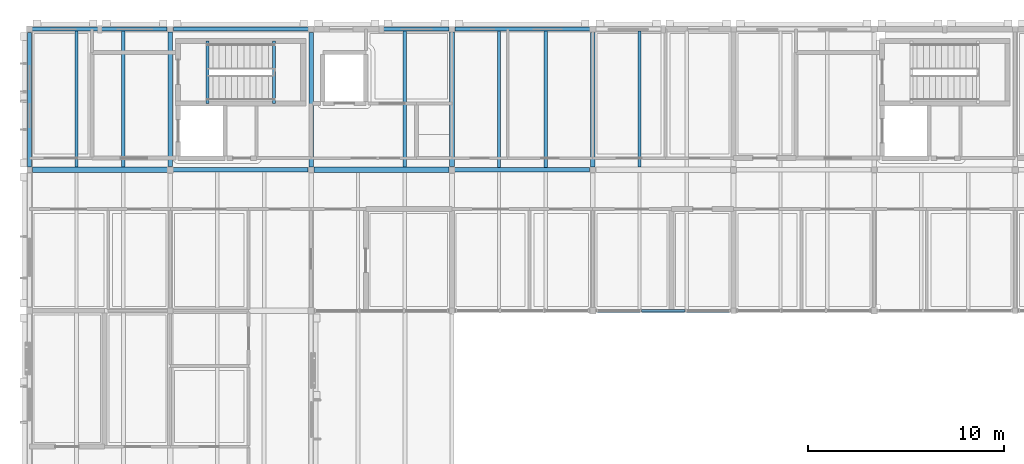
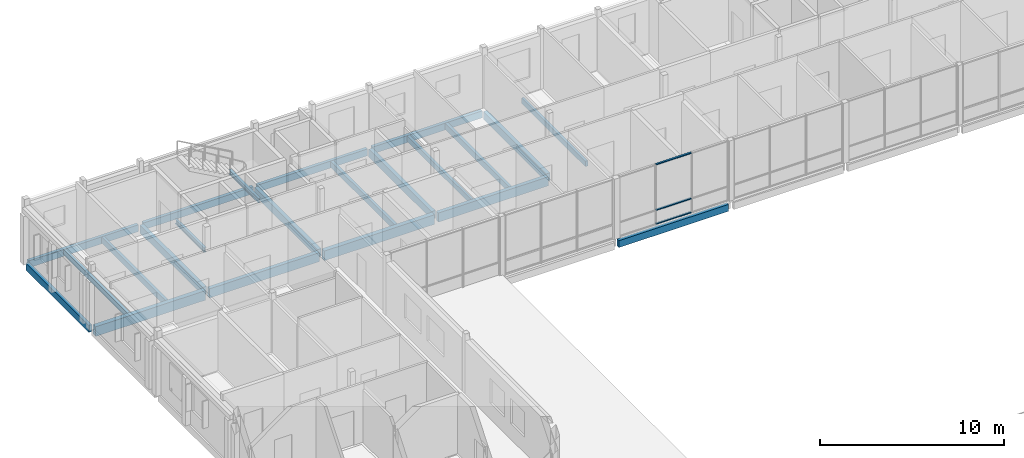
# One storey, part 15 of 57: 22 beams, 3 members, 1 element without a shape of its own.
"""IFC4 building model written with IfcOpenShell, lengths in metres."""

from ifc_helpers import new_model, si_unit, direction, frame, origin, origin_2d, place, context, subcontext, project, spatial, rectangle, hollow_rectangle, i_section, extrude, material, material_profile, profile_set, type_object, element, aggregate, save


model = new_model("IFC4")

# Units and contexts
model_context = context("Model", 3, precision=1e-05, world=origin(), true_north=direction((0.0, 1.0)))
body_context = subcontext(model_context, "Body", "Model", "MODEL_VIEW")
ifc_project = project(units=[si_unit("LENGTHUNIT", "METRE"), si_unit("AREAUNIT", "SQUARE_METRE"), si_unit("VOLUMEUNIT", "CUBIC_METRE"), si_unit("PLANEANGLEUNIT", "RADIAN"), si_unit("MASSUNIT", "GRAM", prefix="KILO")], contexts=[model_context])

# Site, building, storey
site_placement = place(None, origin())
site = spatial("IfcSite", under=ifc_project, at=site_placement, CompositionType="ELEMENT")
building_placement = place(site_placement, origin())
building = spatial("IfcBuilding", under=site, at=building_placement, Name="Hawrajan Terrace Health Centre", CompositionType="ELEMENT")
storey_placement = place(building_placement, frame((0.0, 0.0, 13.199951171875)))
storey = spatial("IfcBuildingStorey", under=building, at=storey_placement, Name="L03", CompositionType="ELEMENT", Elevation=13.199951171875)

# Curtain wall, members
ifc_material_1 = material(Name="Anodized bronze aluminium and low-E solar glazing", Category="aluminium")
curtain_wall_type = type_object("IfcCurtainWallType", Name="CW_Clerestory_SeriesG3", PredefinedType="USERDEFINED", material=ifc_material_1)
curtain_wall_placement = place(storey_placement, origin())
curtain_wall = element("IfcCurtainWall", 1, at=curtain_wall_placement, inside=storey, type_object=curtain_wall_type, Name="Curtain wall CW-L03-162", ObjectType="UNITISED CURTAIN WALL", PredefinedType="USERDEFINED")
ifc_material_2 = material(Name="Anodized bronze aluminium 6063-T6", Category="aluminium")
ifc_material_profile_1 = material_profile(ifc_material_2, hollow_rectangle(XDim=0.06494140625, YDim=0.1201171875, WallThickness=0.00341796875, at=origin_2d()), Name="CW TRN 65x120")
ifc_profile_set_1 = profile_set([ifc_material_profile_1], Name="Anodized bronze aluminium 6063-T6")
member_type = type_object("IfcMemberType", Name="CWTransom_65x120", PredefinedType="USERDEFINED", material=ifc_profile_set_1)
member_1_placement = place(storey_placement, frame((35.897216796875, 45.39990234375, 0.032470703125), z_axis=(1.0, 0.0, 0.0), x_axis=(0.0, 0.0, 1.0)))
member_1 = element("IfcMember", 2, at=member_1_placement, type_object=member_type, Name="Transom CW-L03-162-T2-1", ObjectType="TRANSOM", PredefinedType="USERDEFINED", context=body_context, shape_type="SweptSolid", body=[
    extrude(hollow_rectangle(XDim=0.06494140625, YDim=0.1201171875, WallThickness=0.00341796875, at=origin_2d()), origin(), (0.0, 0.0, 1.0), 2.2255859375),
])
member_2_placement = place(storey_placement, frame((35.897216796875, 45.39990234375, 0.949951171875), z_axis=(1.0, 0.0, 0.0), x_axis=(0.0, 0.0, 1.0)))
member_2 = element("IfcMember", 3, at=member_2_placement, type_object=member_type, Name="Transom CW-L03-162-T2-2", ObjectType="TRANSOM", PredefinedType="USERDEFINED", context=body_context, shape_type="SweptSolid", body=[
    extrude(hollow_rectangle(XDim=0.06494140625, YDim=0.1201171875, WallThickness=0.00341796875, at=origin_2d()), origin(), (0.0, 0.0, 1.0), 2.2255859375),
])
member_3_placement = place(storey_placement, frame((35.897216796875, 45.39990234375, 3.9775390625), z_axis=(1.0, 0.0, 0.0), x_axis=(0.0, 0.0, 1.0)))
member_3 = element("IfcMember", 4, at=member_3_placement, type_object=member_type, Name="Transom CW-L03-162-T2-3", ObjectType="TRANSOM", PredefinedType="USERDEFINED", context=body_context, shape_type="SweptSolid", body=[
    extrude(hollow_rectangle(XDim=0.06494140625, YDim=0.1201171875, WallThickness=0.00341796875, at=origin_2d()), origin(), (0.0, 0.0, 1.0), 2.2255859375),
])
aggregate(curtain_wall, [member_1, member_2, member_3])

# Beams
ifc_material_3 = material(Name="Glulam GL32h", Category="wood")
ifc_material_profile_2 = material_profile(ifc_material_3, rectangle(XDim=0.239990234375, YDim=0.52001953125, at=origin_2d()), Name="GL BM 240x520")
ifc_profile_set_2 = profile_set([ifc_material_profile_2], Name="Glulam GL32h")
beam_type_1 = type_object("IfcBeamType", Name="GlulamGirder_240x520", PredefinedType="BEAM", material=ifc_profile_set_2)
beam_1_placement = place(storey_placement, frame((11.800048828125, 52.780029296875, -0.469970703125), z_axis=(0.0, 1.0, 0.0), x_axis=(-1.0, 0.0, 0.0)))
element("IfcBeam", 5, at=beam_1_placement, inside=storey, type_object=beam_type_1, Name="Beam BM-Y-L03-W-X02-7", PredefinedType="BEAM", context=body_context, shape_type="SweptSolid", body=[
    extrude(rectangle(XDim=0.239990234375, YDim=0.52001953125, at=origin_2d()), origin(), (0.0, 0.0, 1.0), 6.85986328125),
])
beam_2_placement = place(storey_placement, frame((19.0, 52.760009765625, -0.469970703125), z_axis=(0.0, 1.0, 0.0), x_axis=(-1.0, 0.0, 0.0)))
element("IfcBeam", 6, at=beam_2_placement, inside=storey, type_object=beam_type_1, Name="Beam BM-Y-L03-W-X03-7", PredefinedType="BEAM", context=body_context, shape_type="SweptSolid", body=[
    extrude(rectangle(XDim=0.239990234375, YDim=0.52001953125, at=origin_2d()), origin(), (0.0, 0.0, 1.0), 6.860107421875),
])
beam_3_placement = place(storey_placement, frame((26.199951171875, 52.780029296875, -0.469970703125), z_axis=(0.0, 1.0, 0.0), x_axis=(-1.0, 0.0, 0.0)))
element("IfcBeam", 7, at=beam_3_placement, inside=storey, type_object=beam_type_1, Name="Beam BM-Y-L03-W-X04-7", PredefinedType="BEAM", context=body_context, shape_type="SweptSolid", body=[
    extrude(rectangle(XDim=0.239990234375, YDim=0.52001953125, at=origin_2d()), origin(), (0.0, 0.0, 1.0), 6.85986328125),
])
beam_4_placement = place(storey_placement, frame((33.39990234375, 52.760009765625, -0.469970703125), z_axis=(0.0, 1.0, 0.0), x_axis=(-1.0, 0.0, 0.0)))
element("IfcBeam", 8, at=beam_4_placement, inside=storey, type_object=beam_type_1, Name="Beam BM-Y-L03-W-X05-7", PredefinedType="BEAM", context=body_context, shape_type="SweptSolid", body=[
    extrude(rectangle(XDim=0.239990234375, YDim=0.52001953125, at=origin_2d()), origin(), (0.0, 0.0, 1.0), 6.860107421875),
])
ifc_material_profile_3 = material_profile(ifc_material_3, rectangle(XDim=0.239990234375, YDim=0.60009765625, at=origin_2d()), Name="GL BM 240x600")
ifc_profile_set_3 = profile_set([ifc_material_profile_3], Name="Glulam GL32h")
beam_type_2 = type_object("IfcBeamType", Name="GlulamGirder_240x600", PredefinedType="BEAM", material=ifc_profile_set_3)
beam_5_placement = place(storey_placement, frame((11.93994140625, 52.60009765625, -0.510009765625), z_axis=(1.0, 0.0, 0.0), x_axis=(0.0, 1.0, 0.0)))
element("IfcBeam", 9, at=beam_5_placement, inside=storey, type_object=beam_type_2, Name="Beam BM-X-L03-W-02-Y7", PredefinedType="BEAM", context=body_context, shape_type="SweptSolid", body=[
    extrude(rectangle(XDim=0.239990234375, YDim=0.60009765625, at=origin_2d()), origin(), (0.0, 0.0, 1.0), 6.900146484375),
])
beam_6_placement = place(storey_placement, frame((26.340087890625, 52.60009765625, -0.510009765625), z_axis=(1.0, 0.0, 0.0), x_axis=(0.0, 1.0, 0.0)))
element("IfcBeam", 10, at=beam_6_placement, inside=storey, type_object=beam_type_2, Name="Beam BM-X-L03-W-04-Y7", PredefinedType="BEAM", context=body_context, shape_type="SweptSolid", body=[
    extrude(rectangle(XDim=0.239990234375, YDim=0.60009765625, at=origin_2d()), origin(), (0.0, 0.0, 1.0), 6.89990234375),
])
ifc_material_profile_4 = material_profile(ifc_material_3, rectangle(XDim=0.280029296875, YDim=0.639892578125, at=origin_2d()), Name="GL BM 280x640")
ifc_profile_set_4 = profile_set([ifc_material_profile_4], Name="Glulam GL32h")
beam_type_3 = type_object("IfcBeamType", Name="GlulamGirder_280x640", PredefinedType="BEAM", material=ifc_profile_set_4)
beam_7_placement = place(storey_placement, frame((4.760009765625, 52.60009765625, -0.530029296875), z_axis=(1.0, 0.0, 0.0), x_axis=(0.0, 1.0, 0.0)))
element("IfcBeam", 11, at=beam_7_placement, inside=storey, type_object=beam_type_3, Name="Beam BM-X-L03-W-01-Y7", PredefinedType="BEAM", context=body_context, shape_type="SweptSolid", body=[
    extrude(rectangle(XDim=0.280029296875, YDim=0.639892578125, at=origin_2d()), origin(), (0.0, 0.0, 1.0), 6.89990234375),
])
beam_8_placement = place(storey_placement, frame((19.159912109375, 52.60009765625, -0.530029296875), z_axis=(1.0, 0.0, 0.0), x_axis=(0.0, 1.0, 0.0)))
element("IfcBeam", 12, at=beam_8_placement, inside=storey, type_object=beam_type_3, Name="Beam BM-X-L03-W-03-Y7", PredefinedType="BEAM", context=body_context, shape_type="SweptSolid", body=[
    extrude(rectangle(XDim=0.280029296875, YDim=0.639892578125, at=origin_2d()), origin(), (0.0, 0.0, 1.0), 6.900146484375),
])
ifc_material_4 = material(Name="Glulam GL28h", Category="wood")
ifc_material_profile_5 = material_profile(ifc_material_4, rectangle(XDim=0.159912109375, YDim=0.360107421875, at=origin_2d()), Name="GL JST 160x360")
ifc_profile_set_5 = profile_set([ifc_material_profile_5], Name="Glulam GL28h")
beam_type_4 = type_object("IfcBeamType", Name="GlulamJoist_160x360", PredefinedType="JOIST", material=ifc_profile_set_5)
beam_9_placement = place(storey_placement, frame((7.0, 52.739990234375, -0.389892578125), z_axis=(0.0, 1.0, 0.0), x_axis=(-1.0, 0.0, 0.0)))
element("IfcBeam", 13, at=beam_9_placement, inside=storey, type_object=beam_type_4, Name="Secondary joist JST-L03-W-01-7-1", PredefinedType="JOIST", context=body_context, shape_type="SweptSolid", body=[
    extrude(rectangle(XDim=0.159912109375, YDim=0.360107421875, at=origin_2d()), origin(), (0.0, 0.0, 1.0), 6.9599609375),
])
beam_10_placement = place(storey_placement, frame((28.60009765625, 52.719970703125, -0.389892578125), z_axis=(0.0, 1.0, 0.0), x_axis=(-1.0, 0.0, 0.0)))
element("IfcBeam", 14, at=beam_10_placement, inside=storey, type_object=beam_type_4, Name="Secondary joist JST-L03-W-04-7-1", PredefinedType="JOIST", context=body_context, shape_type="SweptSolid", body=[
    extrude(rectangle(XDim=0.159912109375, YDim=0.360107421875, at=origin_2d()), origin(), (0.0, 0.0, 1.0), 6.97998046875),
])
beam_11_placement = place(storey_placement, frame((35.800048828125, 52.739990234375, -0.389892578125), z_axis=(0.0, 1.0, 0.0), x_axis=(-1.0, 0.0, 0.0)))
element("IfcBeam", 15, at=beam_11_placement, inside=storey, type_object=beam_type_4, Name="Secondary joist JST-L03-W-05-7-1", PredefinedType="JOIST", context=body_context, shape_type="SweptSolid", body=[
    extrude(rectangle(XDim=0.159912109375, YDim=0.360107421875, at=origin_2d()), origin(), (0.0, 0.0, 1.0), 6.9599609375),
])
ifc_material_profile_6 = material_profile(ifc_material_4, rectangle(XDim=0.179931640625, YDim=0.39990234375, at=origin_2d()), Name="GL JST 180x400")
ifc_profile_set_6 = profile_set([ifc_material_profile_6], Name="Glulam GL28h")
beam_type_5 = type_object("IfcBeamType", Name="GlulamJoist_180x400", PredefinedType="JOIST", material=ifc_profile_set_6)
for number, where, z_axis, x_axis, name in (
    (16, (9.39990234375, 52.739990234375, -0.409912109375), (0.0, 1.0, 0.0), (-1.0, 0.0, 0.0), "Secondary joist JST-L03-W-01-7-2"),
    (17, (23.800048828125, 52.739990234375, -0.409912109375), (0.0, 1.0, 0.0), (-1.0, 0.0, 0.0), "Secondary joist JST-L03-W-03-7-2"),
):
    element("IfcBeam", number, at=place(storey_placement, frame(where, z_axis=z_axis, x_axis=x_axis)), inside=storey, type_object=beam_type_5, Name=name, PredefinedType="JOIST", context=body_context, shape_type="SweptSolid", body=[
        extrude(rectangle(XDim=0.179931640625, YDim=0.39990234375, at=origin_2d()), origin(), (0.0, 0.0, 1.0), 6.9599609375),
    ])
beam_12_placement = place(storey_placement, frame((31.0, 52.719970703125, -0.409912109375), z_axis=(0.0, 1.0, 0.0), x_axis=(-1.0, 0.0, 0.0)))
element("IfcBeam", 18, at=beam_12_placement, inside=storey, type_object=beam_type_5, Name="Secondary joist JST-L03-W-04-7-2", PredefinedType="JOIST", context=body_context, shape_type="SweptSolid", body=[
    extrude(rectangle(XDim=0.179931640625, YDim=0.39990234375, at=origin_2d()), origin(), (0.0, 0.0, 1.0), 6.97998046875),
])
ifc_material_profile_7 = material_profile(ifc_material_3, rectangle(XDim=0.199951171875, YDim=0.4599609375, at=origin_2d()), Name="GL SP 200x460")
ifc_profile_set_7 = profile_set([ifc_material_profile_7], Name="Glulam GL32h")
beam_type_6 = type_object("IfcBeamType", Name="GlulamSpandrel_200x460", PredefinedType="SPANDREL", material=ifc_profile_set_7)
beam_13_placement = place(storey_placement, frame((4.739990234375, 59.800048828125, -0.43994140625), z_axis=(1.0, 0.0, 0.0), x_axis=(0.0, 1.0, 0.0)))
element("IfcBeam", 19, at=beam_13_placement, inside=storey, type_object=beam_type_6, Name="Beam BM-X-L03-W-01-Y8", PredefinedType="SPANDREL", context=body_context, shape_type="SweptSolid", body=[
    extrude(rectangle(XDim=0.199951171875, YDim=0.4599609375, at=origin_2d()), origin(), (0.0, 0.0, 1.0), 6.89990234375),
])
for number, where, z_axis, x_axis, name in (
    (20, (11.9599609375, 59.800048828125, -0.43994140625), (1.0, 0.0, 0.0), (0.0, 1.0, 0.0), "Beam BM-X-L03-W-02-Y8"),
    (21, (19.139892578125, 59.800048828125, -0.43994140625), (1.0, 0.0, 0.0), (0.0, 1.0, 0.0), "Beam BM-X-L03-W-03-Y8"),
):
    element("IfcBeam", number, at=place(storey_placement, frame(where, z_axis=z_axis, x_axis=x_axis)), inside=storey, type_object=beam_type_6, Name=name, PredefinedType="SPANDREL", context=body_context, shape_type="SweptSolid", body=[
        extrude(rectangle(XDim=0.199951171875, YDim=0.4599609375, at=origin_2d()), origin(), (0.0, 0.0, 1.0), 6.900146484375),
    ])
for number, where, z_axis, x_axis, name in (
    (22, (26.360107421875, 59.800048828125, -0.43994140625), (1.0, 0.0, 0.0), (0.0, 1.0, 0.0), "Beam BM-X-L03-W-04-Y8"),
    (23, (33.5400390625, 45.39990234375, -0.43994140625), (1.0, 0.0, 0.0), (0.0, 1.0, 0.0), "Beam BM-X-L03-W-05-Y6"),
):
    element("IfcBeam", number, at=place(storey_placement, frame(where, z_axis=z_axis, x_axis=x_axis)), inside=storey, type_object=beam_type_6, Name=name, PredefinedType="SPANDREL", context=body_context, shape_type="SweptSolid", body=[
        extrude(rectangle(XDim=0.199951171875, YDim=0.4599609375, at=origin_2d()), origin(), (0.0, 0.0, 1.0), 6.89990234375),
    ])
beam_14_placement = place(storey_placement, frame((4.60009765625, 52.760009765625, -0.43994140625), z_axis=(0.0, 1.0, 0.0), x_axis=(-1.0, 0.0, 0.0)))
element("IfcBeam", 24, at=beam_14_placement, inside=storey, type_object=beam_type_6, Name="Beam BM-Y-L03-W-X01-7", PredefinedType="SPANDREL", context=body_context, shape_type="SweptSolid", body=[
    extrude(rectangle(XDim=0.199951171875, YDim=0.4599609375, at=origin_2d()), origin(), (0.0, 0.0, 1.0), 6.860107421875),
])
ifc_material_5 = material(Name="Steel S355", Category="steel")
ifc_material_profile_8 = material_profile(ifc_material_5, i_section(OverallWidth=0.14990234375, OverallDepth=0.300048828125, WebThickness=0.007080078125, FlangeThickness=0.0107421875, FilletRadius=0.014892578125, at=origin_2d()), Name="IPE 300")
ifc_profile_set_8 = profile_set([ifc_material_profile_8], Name="Steel S355")
beam_type_7 = type_object("IfcBeamType", Name="SteelBeam_IPE300", PredefinedType="JOIST", material=ifc_profile_set_8)
for number, where, z_axis, x_axis, name in (
    (25, (13.699951171875, 56.0, -0.369873046875), (0.0, 1.0, 0.0), (-1.0, 0.0, 0.0), "Stair landing trimmer ST-1-L03-B0"),
    (26, (17.10009765625, 56.0, 1.72998046875), (0.0, 1.0, 0.0), (-1.0, 0.0, 0.0), "Stair half-landing trimmer ST-1-L03-B1"),
):
    element("IfcBeam", number, at=place(storey_placement, frame(where, z_axis=z_axis, x_axis=x_axis)), inside=storey, type_object=beam_type_7, Name=name, PredefinedType="JOIST", context=body_context, shape_type="SweptSolid", body=[
        extrude(i_section(OverallWidth=0.14990234375, OverallDepth=0.300048828125, WebThickness=0.007080078125, FlangeThickness=0.0107421875, FilletRadius=0.014892578125, at=origin_2d()), origin(), (0.0, 0.0, 1.0), 3.199951171875),
    ])

save(model, "model.ifc")
